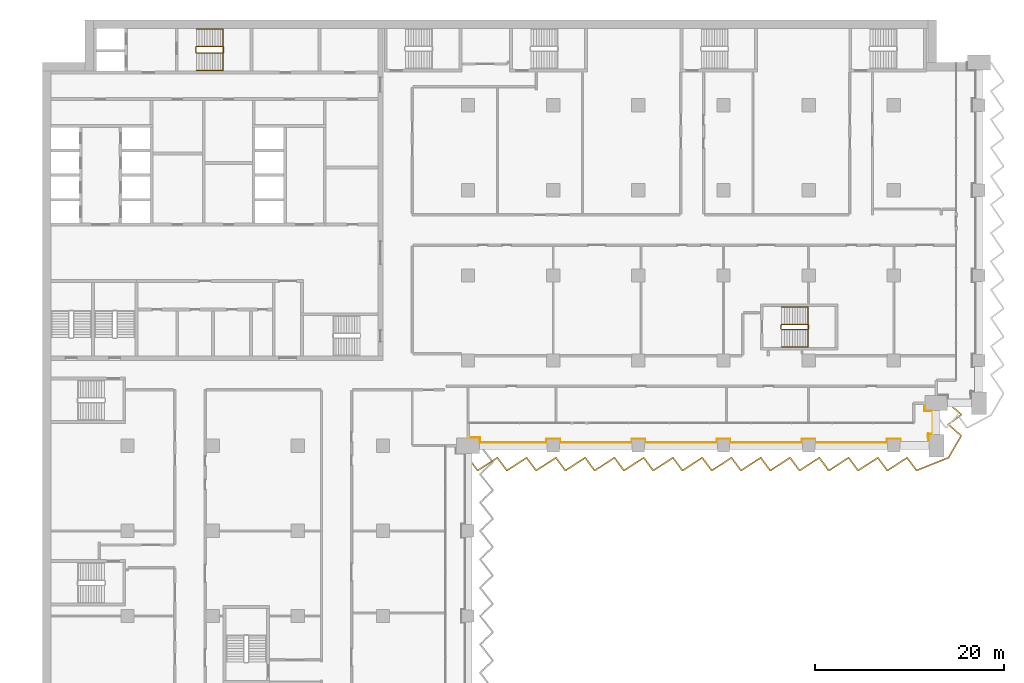
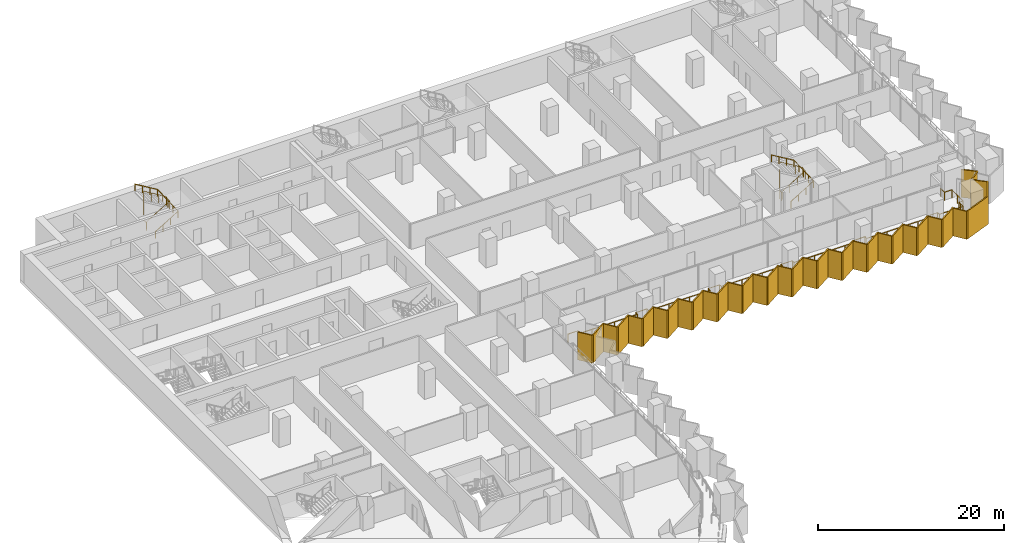
# One storey, part 27 of 29: 5 railings, 1 shading device.
"""IFC4 building model written with IfcOpenShell, lengths in metres."""

from ifc_helpers import new_model, si_unit, direction, frame, origin, origin_2d, place, context, subcontext, project, spatial, polyline, circle, outline, extrude, material, layer, layer_set, type_object, element, save


model = new_model("IFC4")

# Units and contexts
model_context = context("Model", 3, precision=1e-05, world=origin(), true_north=direction((0.0, 1.0)))
body_context = subcontext(model_context, "Body", "Model", "MODEL_VIEW")
ifc_project = project(units=[si_unit("LENGTHUNIT", "METRE"), si_unit("AREAUNIT", "SQUARE_METRE"), si_unit("VOLUMEUNIT", "CUBIC_METRE"), si_unit("PLANEANGLEUNIT", "RADIAN"), si_unit("MASSUNIT", "GRAM", prefix="KILO")], contexts=[model_context])

# Site, building, storey
site_placement = place(None, origin())
site = spatial("IfcSite", under=ifc_project, at=site_placement, CompositionType="ELEMENT")
building_placement = place(site_placement, origin())
building = spatial("IfcBuilding", under=site, at=building_placement, Name="Hunhe Ridgeline Campus", CompositionType="ELEMENT")
storey_placement = place(building_placement, frame((0.0, 0.0, 69.10009765625)))
storey = spatial("IfcBuildingStorey", under=building, at=storey_placement, Name="L16", CompositionType="ELEMENT", Elevation=69.10009765625)

# Railing
ifc_material_1 = material(Name="Steel Q355", Category="steel")
railing_type_1 = type_object("IfcRailingType", Name="Loggia guard 1100 Steel Q355", PredefinedType="GUARDRAIL", material=ifc_material_1)
railing_1_placement = place(storey_placement, frame((45.0, 54.8701171875, 0.0)))
element("IfcRailing", 1, at=railing_1_placement, inside=storey, type_object=railing_type_1, Name="Loggia guard 2", PredefinedType="GUARDRAIL", context=body_context, shape_type="SweptSolid", body=[
    extrude(circle(Radius=0.02392578125, at=origin_2d()), frame((0.0, 0.0, 1.076171875), z_axis=(1.0, 0.0, 0.0), x_axis=(0.0, 1.0, 0.0)), (0.0, 0.0, 1.0), 1.25),
    extrude(circle(Radius=0.02392578125, at=origin_2d()), frame((1.25, 0.0, 1.076171875), z_axis=(0.0, -1.0, 0.0), x_axis=(1.0, 0.0, 0.0)), (0.0, 0.0, 1.0), 0.52001953125),
    extrude(circle(Radius=0.02392578125, at=origin_2d()), frame((1.25, -0.52001953125, 1.076171875), z_axis=(1.0, 0.0, 0.0), x_axis=(0.0, 1.0, 0.0)), (0.0, 0.0, 1.0), 7.050048828125),
    extrude(circle(Radius=0.02392578125, at=origin_2d()), frame((8.300048828125, -0.52001953125, 1.076171875), z_axis=(0.0, 1.0, 0.0), x_axis=(-1.0, 0.0, 0.0)), (0.0, 0.0, 1.0), 0.369873046875),
    extrude(circle(Radius=0.02392578125, at=origin_2d()), frame((8.300048828125, -0.150146484375, 1.076171875), z_axis=(1.0, 0.0, 0.0), x_axis=(0.0, 1.0, 0.0)), (0.0, 0.0, 1.0), 1.39990234375),
    extrude(circle(Radius=0.02392578125, at=origin_2d()), frame((9.699951171875, -0.150146484375, 1.076171875), z_axis=(0.0, -1.0, 0.0), x_axis=(1.0, 0.0, 0.0)), (0.0, 0.0, 1.0), 0.369873046875),
    extrude(circle(Radius=0.02392578125, at=origin_2d()), frame((9.699951171875, -0.52001953125, 1.076171875), z_axis=(1.0, 0.0, 0.0), x_axis=(0.0, 1.0, 0.0)), (0.0, 0.0, 1.0), 7.60009765625),
    extrude(circle(Radius=0.02392578125, at=origin_2d()), frame((17.300048828125, -0.52001953125, 1.076171875), z_axis=(0.0, 1.0, 0.0), x_axis=(-1.0, 0.0, 0.0)), (0.0, 0.0, 1.0), 0.369873046875),
    extrude(circle(Radius=0.02392578125, at=origin_2d()), frame((17.300048828125, -0.150146484375, 1.076171875), z_axis=(1.0, 0.0, 0.0), x_axis=(0.0, 1.0, 0.0)), (0.0, 0.0, 1.0), 1.39990234375),
    extrude(circle(Radius=0.02392578125, at=origin_2d()), frame((18.699951171875, -0.150146484375, 1.076171875), z_axis=(0.0, -1.0, 0.0), x_axis=(1.0, 0.0, 0.0)), (0.0, 0.0, 1.0), 0.369873046875),
    extrude(circle(Radius=0.02392578125, at=origin_2d()), frame((18.699951171875, -0.52001953125, 1.076171875), z_axis=(1.0, 0.0, 0.0), x_axis=(0.0, 1.0, 0.0)), (0.0, 0.0, 1.0), 7.60009765625),
    extrude(circle(Radius=0.02392578125, at=origin_2d()), frame((26.300048828125, -0.52001953125, 1.076171875), z_axis=(0.0, 1.0, 0.0), x_axis=(-1.0, 0.0, 0.0)), (0.0, 0.0, 1.0), 0.369873046875),
    extrude(circle(Radius=0.02392578125, at=origin_2d()), frame((26.300048828125, -0.150146484375, 1.076171875), z_axis=(1.0, 0.0, 0.0), x_axis=(0.0, 1.0, 0.0)), (0.0, 0.0, 1.0), 1.39990234375),
    extrude(circle(Radius=0.02392578125, at=origin_2d()), frame((27.699951171875, -0.150146484375, 1.076171875), z_axis=(0.0, -1.0, 0.0), x_axis=(1.0, 0.0, 0.0)), (0.0, 0.0, 1.0), 0.369873046875),
    extrude(circle(Radius=0.02392578125, at=origin_2d()), frame((27.699951171875, -0.52001953125, 1.076171875), z_axis=(1.0, 0.0, 0.0), x_axis=(0.0, 1.0, 0.0)), (0.0, 0.0, 1.0), 7.60009765625),
    extrude(circle(Radius=0.02392578125, at=origin_2d()), frame((35.300048828125, -0.52001953125, 1.076171875), z_axis=(0.0, 1.0, 0.0), x_axis=(-1.0, 0.0, 0.0)), (0.0, 0.0, 1.0), 0.369873046875),
    extrude(circle(Radius=0.02392578125, at=origin_2d()), frame((35.300048828125, -0.150146484375, 1.076171875), z_axis=(1.0, 0.0, 0.0), x_axis=(0.0, 1.0, 0.0)), (0.0, 0.0, 1.0), 1.39990234375),
    extrude(circle(Radius=0.02392578125, at=origin_2d()), frame((36.699951171875, -0.150146484375, 1.076171875), z_axis=(0.0, -1.0, 0.0), x_axis=(1.0, 0.0, 0.0)), (0.0, 0.0, 1.0), 0.369873046875),
    extrude(circle(Radius=0.02392578125, at=origin_2d()), frame((36.699951171875, -0.52001953125, 1.076171875), z_axis=(1.0, 0.0, 0.0), x_axis=(0.0, 1.0, 0.0)), (0.0, 0.0, 1.0), 7.60009765625),
    extrude(circle(Radius=0.02392578125, at=origin_2d()), frame((44.300048828125, -0.52001953125, 1.076171875), z_axis=(0.0, 1.0, 0.0), x_axis=(-1.0, 0.0, 0.0)), (0.0, 0.0, 1.0), 0.369873046875),
    extrude(circle(Radius=0.02392578125, at=origin_2d()), frame((44.300048828125, -0.150146484375, 1.076171875), z_axis=(1.0, 0.0, 0.0), x_axis=(0.0, 1.0, 0.0)), (0.0, 0.0, 1.0), 1.39990234375),
    extrude(circle(Radius=0.02392578125, at=origin_2d()), frame((45.699951171875, -0.150146484375, 1.076171875), z_axis=(0.0, -1.0, 0.0), x_axis=(1.0, 0.0, 0.0)), (0.0, 0.0, 1.0), 0.369873046875),
    extrude(circle(Radius=0.02392578125, at=origin_2d()), frame((45.699951171875, -0.52001953125, 1.076171875), z_axis=(1.0, 0.0, 0.0), x_axis=(0.0, 1.0, 0.0)), (0.0, 0.0, 1.0), 2.949951171875),
    extrude(circle(Radius=0.02392578125, at=origin_2d()), frame((48.64990234375, -0.52001953125, 1.076171875), z_axis=(0.0, 1.0, 0.0), x_axis=(-1.0, 0.0, 0.0)), (0.0, 0.0, 1.0), 0.919921875),
    extrude(circle(Radius=0.02392578125, at=origin_2d()), frame((48.64990234375, 0.39990234375, 1.076171875), z_axis=(-0.049998438503, -0.998749295943, 0.0), x_axis=(0.998749295943, -0.049998438503, 0.0)), (0.0, 0.0, 1.0), 0.400390625),
    extrude(circle(Radius=0.02392578125, at=origin_2d()), frame((48.6298828125, 0.0, 1.076171875), z_axis=(0.0, 1.0, 0.0), x_axis=(-1.0, 0.0, 0.0)), (0.0, 0.0, 1.0), 0.3798828125),
    extrude(circle(Radius=0.02392578125, at=origin_2d()), frame((48.6298828125, 0.3798828125, 1.076171875), z_axis=(1.0, 0.0, 0.0), x_axis=(0.0, 1.0, 0.0)), (0.0, 0.0, 1.0), 0.52001953125),
    extrude(circle(Radius=0.02392578125, at=origin_2d()), frame((49.14990234375, 0.3798828125, 1.076171875), z_axis=(0.0, 1.0, 0.0), x_axis=(-1.0, 0.0, 0.0)), (0.0, 0.0, 1.0), 2.39990234375),
    extrude(circle(Radius=0.02392578125, at=origin_2d()), frame((49.14990234375, 2.77978515625, 1.076171875), z_axis=(-1.0, 0.0, 0.0), x_axis=(0.0, -1.0, 0.0)), (0.0, 0.0, 1.0), 0.919921875),
    extrude(circle(Radius=0.02392578125, at=origin_2d()), frame((48.22998046875, 2.77978515625, 1.076171875), z_axis=(0.0, 1.0, 0.0), x_axis=(-1.0, 0.0, 0.0)), (0.0, 0.0, 1.0), 0.85009765625),
    extrude(circle(Radius=0.02099609375, at=origin_2d()), origin(), (0.0, 0.0, 1.0), 1.052001953125),
    extrude(circle(Radius=0.02099609375, at=origin_2d()), frame((1.25, 0.0, 0.0)), (0.0, 0.0, 1.0), 1.052001953125),
    extrude(circle(Radius=0.02099609375, at=origin_2d()), frame((1.25, -0.52001953125, 0.0)), (0.0, 0.0, 1.0), 1.052001953125),
    extrude(circle(Radius=0.02099609375, at=origin_2d()), frame((2.659912109375, -0.52001953125, 0.0)), (0.0, 0.0, 1.0), 1.052001953125),
    extrude(circle(Radius=0.02099609375, at=origin_2d()), frame((4.070068359375, -0.52001953125, 0.0)), (0.0, 0.0, 1.0), 1.052001953125),
    extrude(circle(Radius=0.02099609375, at=origin_2d()), frame((5.47998046875, -0.52001953125, 0.0)), (0.0, 0.0, 1.0), 1.052001953125),
    extrude(circle(Radius=0.02099609375, at=origin_2d()), frame((6.89013671875, -0.52001953125, 0.0)), (0.0, 0.0, 1.0), 1.052001953125),
    extrude(circle(Radius=0.02099609375, at=origin_2d()), frame((8.300048828125, -0.52001953125, 0.0)), (0.0, 0.0, 1.0), 1.052001953125),
    extrude(circle(Radius=0.02099609375, at=origin_2d()), frame((8.300048828125, -0.150146484375, 0.0)), (0.0, 0.0, 1.0), 1.052001953125),
    extrude(circle(Radius=0.02099609375, at=origin_2d()), frame((9.699951171875, -0.150146484375, 0.0)), (0.0, 0.0, 1.0), 1.052001953125),
    extrude(circle(Radius=0.02099609375, at=origin_2d()), frame((9.699951171875, -0.52001953125, 0.0)), (0.0, 0.0, 1.0), 1.052001953125),
    extrude(circle(Radius=0.02099609375, at=origin_2d()), frame((10.966552734375, -0.52001953125, 0.0)), (0.0, 0.0, 1.0), 1.052001953125),
    extrude(circle(Radius=0.02099609375, at=origin_2d()), frame((12.2333984375, -0.52001953125, 0.0)), (0.0, 0.0, 1.0), 1.052001953125),
    extrude(circle(Radius=0.02099609375, at=origin_2d()), frame((13.5, -0.52001953125, 0.0)), (0.0, 0.0, 1.0), 1.052001953125),
    extrude(circle(Radius=0.02099609375, at=origin_2d()), frame((14.7666015625, -0.52001953125, 0.0)), (0.0, 0.0, 1.0), 1.052001953125),
    extrude(circle(Radius=0.02099609375, at=origin_2d()), frame((16.033447265625, -0.52001953125, 0.0)), (0.0, 0.0, 1.0), 1.052001953125),
    extrude(circle(Radius=0.02099609375, at=origin_2d()), frame((17.300048828125, -0.52001953125, 0.0)), (0.0, 0.0, 1.0), 1.052001953125),
    extrude(circle(Radius=0.02099609375, at=origin_2d()), frame((17.300048828125, -0.150146484375, 0.0)), (0.0, 0.0, 1.0), 1.052001953125),
    extrude(circle(Radius=0.02099609375, at=origin_2d()), frame((18.699951171875, -0.150146484375, 0.0)), (0.0, 0.0, 1.0), 1.052001953125),
    extrude(circle(Radius=0.02099609375, at=origin_2d()), frame((18.699951171875, -0.52001953125, 0.0)), (0.0, 0.0, 1.0), 1.052001953125),
    extrude(circle(Radius=0.02099609375, at=origin_2d()), frame((19.966552734375, -0.52001953125, 0.0)), (0.0, 0.0, 1.0), 1.052001953125),
    extrude(circle(Radius=0.02099609375, at=origin_2d()), frame((21.2333984375, -0.52001953125, 0.0)), (0.0, 0.0, 1.0), 1.052001953125),
    extrude(circle(Radius=0.02099609375, at=origin_2d()), frame((22.5, -0.52001953125, 0.0)), (0.0, 0.0, 1.0), 1.052001953125),
    extrude(circle(Radius=0.02099609375, at=origin_2d()), frame((23.7666015625, -0.52001953125, 0.0)), (0.0, 0.0, 1.0), 1.052001953125),
    extrude(circle(Radius=0.02099609375, at=origin_2d()), frame((25.033447265625, -0.52001953125, 0.0)), (0.0, 0.0, 1.0), 1.052001953125),
    extrude(circle(Radius=0.02099609375, at=origin_2d()), frame((26.300048828125, -0.52001953125, 0.0)), (0.0, 0.0, 1.0), 1.052001953125),
    extrude(circle(Radius=0.02099609375, at=origin_2d()), frame((26.300048828125, -0.150146484375, 0.0)), (0.0, 0.0, 1.0), 1.052001953125),
    extrude(circle(Radius=0.02099609375, at=origin_2d()), frame((27.699951171875, -0.150146484375, 0.0)), (0.0, 0.0, 1.0), 1.052001953125),
    extrude(circle(Radius=0.02099609375, at=origin_2d()), frame((27.699951171875, -0.52001953125, 0.0)), (0.0, 0.0, 1.0), 1.052001953125),
    extrude(circle(Radius=0.02099609375, at=origin_2d()), frame((28.966552734375, -0.52001953125, 0.0)), (0.0, 0.0, 1.0), 1.052001953125),
    extrude(circle(Radius=0.02099609375, at=origin_2d()), frame((30.2333984375, -0.52001953125, 0.0)), (0.0, 0.0, 1.0), 1.052001953125),
    extrude(circle(Radius=0.02099609375, at=origin_2d()), frame((31.5, -0.52001953125, 0.0)), (0.0, 0.0, 1.0), 1.052001953125),
    extrude(circle(Radius=0.02099609375, at=origin_2d()), frame((32.7666015625, -0.52001953125, 0.0)), (0.0, 0.0, 1.0), 1.052001953125),
    extrude(circle(Radius=0.02099609375, at=origin_2d()), frame((34.033447265625, -0.52001953125, 0.0)), (0.0, 0.0, 1.0), 1.052001953125),
    extrude(circle(Radius=0.02099609375, at=origin_2d()), frame((35.300048828125, -0.52001953125, 0.0)), (0.0, 0.0, 1.0), 1.052001953125),
    extrude(circle(Radius=0.02099609375, at=origin_2d()), frame((35.300048828125, -0.150146484375, 0.0)), (0.0, 0.0, 1.0), 1.052001953125),
    extrude(circle(Radius=0.02099609375, at=origin_2d()), frame((36.699951171875, -0.150146484375, 0.0)), (0.0, 0.0, 1.0), 1.052001953125),
    extrude(circle(Radius=0.02099609375, at=origin_2d()), frame((36.699951171875, -0.52001953125, 0.0)), (0.0, 0.0, 1.0), 1.052001953125),
    extrude(circle(Radius=0.02099609375, at=origin_2d()), frame((37.966552734375, -0.52001953125, 0.0)), (0.0, 0.0, 1.0), 1.052001953125),
    extrude(circle(Radius=0.02099609375, at=origin_2d()), frame((39.2333984375, -0.52001953125, 0.0)), (0.0, 0.0, 1.0), 1.052001953125),
    extrude(circle(Radius=0.02099609375, at=origin_2d()), frame((40.5, -0.52001953125, 0.0)), (0.0, 0.0, 1.0), 1.052001953125),
    extrude(circle(Radius=0.02099609375, at=origin_2d()), frame((41.7666015625, -0.52001953125, 0.0)), (0.0, 0.0, 1.0), 1.052001953125),
    extrude(circle(Radius=0.02099609375, at=origin_2d()), frame((43.033447265625, -0.52001953125, 0.0)), (0.0, 0.0, 1.0), 1.052001953125),
    extrude(circle(Radius=0.02099609375, at=origin_2d()), frame((44.300048828125, -0.52001953125, 0.0)), (0.0, 0.0, 1.0), 1.052001953125),
    extrude(circle(Radius=0.02099609375, at=origin_2d()), frame((44.300048828125, -0.150146484375, 0.0)), (0.0, 0.0, 1.0), 1.052001953125),
    extrude(circle(Radius=0.02099609375, at=origin_2d()), frame((45.699951171875, -0.150146484375, 0.0)), (0.0, 0.0, 1.0), 1.052001953125),
    extrude(circle(Radius=0.02099609375, at=origin_2d()), frame((45.699951171875, -0.52001953125, 0.0)), (0.0, 0.0, 1.0), 1.052001953125),
    extrude(circle(Radius=0.02099609375, at=origin_2d()), frame((47.1748046875, -0.52001953125, 0.0)), (0.0, 0.0, 1.0), 1.052001953125),
    extrude(circle(Radius=0.02099609375, at=origin_2d()), frame((48.64990234375, -0.52001953125, 0.0)), (0.0, 0.0, 1.0), 1.052001953125),
    extrude(circle(Radius=0.02099609375, at=origin_2d()), frame((48.64990234375, 0.39990234375, 0.0)), (0.0, 0.0, 1.0), 1.052001953125),
    extrude(circle(Radius=0.02099609375, at=origin_2d()), frame((48.6298828125, 0.0, 0.0)), (0.0, 0.0, 1.0), 1.052001953125),
    extrude(circle(Radius=0.02099609375, at=origin_2d()), frame((48.6298828125, 0.3798828125, 0.0)), (0.0, 0.0, 1.0), 1.052001953125),
    extrude(circle(Radius=0.02099609375, at=origin_2d()), frame((49.14990234375, 0.3798828125, 0.0)), (0.0, 0.0, 1.0), 1.052001953125),
    extrude(circle(Radius=0.02099609375, at=origin_2d()), frame((49.14990234375, 1.579833984375, 0.0)), (0.0, 0.0, 1.0), 1.052001953125),
    extrude(circle(Radius=0.02099609375, at=origin_2d()), frame((49.14990234375, 2.77978515625, 0.0)), (0.0, 0.0, 1.0), 1.052001953125),
    extrude(circle(Radius=0.02099609375, at=origin_2d()), frame((48.22998046875, 2.77978515625, 0.0)), (0.0, 0.0, 1.0), 1.052001953125),
    extrude(circle(Radius=0.02099609375, at=origin_2d()), frame((48.22998046875, 3.6298828125, 0.0)), (0.0, 0.0, 1.0), 1.052001953125),
])

# Shading device
ifc_material_2 = material(Name="Concrete C50", Category="concrete")
ifc_layer = layer(ifc_material_2, 0.14990234375)
ifc_layer_set = layer_set([ifc_layer], Name="Sawtooth concrete fin 150 Concrete C50")
shading_device_type = type_object("IfcShadingDeviceType", Name="Sawtooth concrete fin 150 Concrete C50", PredefinedType="USERDEFINED", material=ifc_layer_set)
shading_device_placement = place(storey_placement, frame((0.0, 0.0, -0.9501953125)))
element("IfcShadingDevice", 2, at=shading_device_placement, inside=storey, type_object=shading_device_type, Name="Concrete fin screen 2", ObjectType="FIN", PredefinedType="USERDEFINED", context=body_context, shape_type="SweptSolid", body=[
    extrude(outline(polyline([(45.06005859375, 52.769775390625), (44.93994140625, 52.68017578125), (45.930419921875, 51.35009765625), (46.1103515625, 51.35009765625), (48.07568359375, 52.623779296875), (49.024169921875, 51.35009765625), (49.2041015625, 51.35009765625), (51.16943359375, 52.623779296875), (52.117919921875, 51.35009765625), (52.2978515625, 51.35009765625), (54.26318359375, 52.623779296875), (55.211669921875, 51.35009765625), (55.3916015625, 51.35009765625), (57.35693359375, 52.623779296875), (58.305419921875, 51.35009765625), (58.4853515625, 51.35009765625), (60.45068359375, 52.623779296875), (61.399169921875, 51.35009765625), (61.5791015625, 51.35009765625), (63.54443359375, 52.623779296875), (64.492919921875, 51.35009765625), (64.6728515625, 51.35009765625), (66.63818359375, 52.623779296875), (67.586669921875, 51.35009765625), (67.7666015625, 51.35009765625), (69.73193359375, 52.623779296875), (70.680419921875, 51.35009765625), (70.8603515625, 51.35009765625), (72.82568359375, 52.623779296875), (73.774169921875, 51.35009765625), (73.9541015625, 51.35009765625), (75.91943359375, 52.623779296875), (76.867919921875, 51.35009765625), (77.0478515625, 51.35009765625), (79.01318359375, 52.623779296875), (79.961669921875, 51.35009765625), (80.1416015625, 51.35009765625), (82.10693359375, 52.623779296875), (83.055419921875, 51.35009765625), (83.2353515625, 51.35009765625), (85.20068359375, 52.623779296875), (86.149169921875, 51.35009765625), (86.3291015625, 51.35009765625), (88.29443359375, 52.623779296875), (89.242919921875, 51.35009765625), (89.4228515625, 51.35009765625), (91.38818359375, 52.623779296875), (92.336669921875, 51.35009765625), (92.5087890625, 51.35009765625), (95.826904296875, 52.664794921875), (97.14990234375, 54.947998046875), (97.14990234375, 55.12158203125), (95.8935546875, 56.24462890625), (97.14990234375, 57.180419921875), (97.14990234375, 57.37158203125), (95.824951171875, 58.555908203125), (95.72509765625, 58.444091796875), (97.0, 57.304443359375), (97.0, 57.255859375), (95.656494140625, 56.25537109375), (97.0, 55.054443359375), (97.0, 54.98828125), (95.72314453125, 52.78515625), (92.47998046875, 51.5), (92.412109375, 51.5), (91.42431640625, 52.826171875), (89.37841796875, 51.5), (89.318359375, 51.5), (88.33056640625, 52.826171875), (86.28466796875, 51.5), (86.224609375, 51.5), (85.23681640625, 52.826171875), (83.19091796875, 51.5), (83.130859375, 51.5), (82.14306640625, 52.826171875), (80.09716796875, 51.5), (80.037109375, 51.5), (79.04931640625, 52.826171875), (77.00341796875, 51.5), (76.943359375, 51.5), (75.95556640625, 52.826171875), (73.90966796875, 51.5), (73.849609375, 51.5), (72.86181640625, 52.826171875), (70.81591796875, 51.5), (70.755859375, 51.5), (69.76806640625, 52.826171875), (67.72216796875, 51.5), (67.662109375, 51.5), (66.67431640625, 52.826171875), (64.62841796875, 51.5), (64.568359375, 51.5), (63.58056640625, 52.826171875), (61.53466796875, 51.5), (61.474609375, 51.5), (60.48681640625, 52.826171875), (58.44091796875, 51.5), (58.380859375, 51.5), (57.39306640625, 52.826171875), (55.34716796875, 51.5), (55.287109375, 51.5), (54.29931640625, 52.826171875), (52.25341796875, 51.5), (52.193359375, 51.5), (51.20556640625, 52.826171875), (49.15966796875, 51.5), (49.099609375, 51.5), (48.11181640625, 52.826171875), (46.06591796875, 51.5), (46.005859375, 51.5), (45.06005859375, 52.769775390625)])), origin(), (0.0, 0.0, 1.0), 3.650146484375),
])

# Railings
ifc_material_3 = material(Name="Stainless steel balustrade", Category="steel")
railing_type_2 = type_object("IfcRailingType", Name="Stair guard 1100 stainless", PredefinedType="GUARDRAIL", material=ifc_material_3)
railing_2_placement = place(storey_placement, frame((16.300048828125, 95.5, 0.16796875)))
element("IfcRailing", 3, at=railing_2_placement, inside=storey, type_object=railing_type_2, Name="L16 stair S1 guard", PredefinedType="GUARDRAIL", context=body_context, shape_type="SweptSolid", body=[
    extrude(circle(Radius=0.02392578125, at=origin_2d()), frame((0.0, 0.0, 1.076171875), z_axis=(0.857242210791, 0.0, 0.514913383045), x_axis=(0.0, 1.0, 0.0)), (0.0, 0.0, 1.0), 3.266357421875),
    extrude(circle(Radius=0.02392578125, at=origin_2d()), frame((2.800048828125, 0.0, 2.7578125), z_axis=(0.705375805398, 0.708833529934, 0.0), x_axis=(-0.708833529934, 0.705375805398, 0.0)), (0.0, 0.0, 1.0), 0.070556640625),
    extrude(circle(Radius=0.02392578125, at=origin_2d()), frame((2.849853515625, 0.050048828125, 2.7578125), z_axis=(0.0, 1.0, 0.0), x_axis=(-1.0, 0.0, 0.0)), (0.0, 0.0, 1.0), 0.599853515625),
    extrude(circle(Radius=0.02392578125, at=origin_2d()), frame((2.849853515625, 0.64990234375, 2.7578125), z_axis=(-0.273006030465, 0.27434429532, 0.922064485248), x_axis=(-0.708833529934, -0.705375805398, 0.0)), (0.0, 0.0, 1.0), 0.182373046875),
    extrude(circle(Radius=0.02392578125, at=origin_2d()), frame((2.800048828125, 0.699951171875, 2.92626953125), z_axis=(-0.857242210791, 0.0, 0.514913383045), x_axis=(0.0, -1.0, 0.0)), (0.0, 0.0, 1.0), 3.266357421875),
    extrude(circle(Radius=0.02392578125, at=origin_2d()), frame((0.0, 0.699951171875, 4.60791015625), z_axis=(-0.013524414389, -0.013524414389, -0.999817073484), x_axis=(0.707106781187, -0.707106781187, 0.0)), (0.0, 0.0, 1.0), 3.70068359375),
    extrude(circle(Radius=0.02392578125, at=origin_2d()), frame((-0.050048828125, 0.64990234375, 0.908203125), z_axis=(0.0, -1.0, 0.0), x_axis=(1.0, 0.0, 0.0)), (0.0, 0.0, 1.0), 0.599853515625),
    extrude(circle(Radius=0.02099609375, at=origin_2d()), origin(), (0.0, 0.0, 1.0), 1.052001953125),
    extrude(circle(Radius=0.02099609375, at=origin_2d()), frame((0.933349609375, 0.0, 0.560546875)), (0.0, 0.0, 1.0), 1.052001953125),
    extrude(circle(Radius=0.02099609375, at=origin_2d()), frame((1.86669921875, 0.0, 1.121337890625)), (0.0, 0.0, 1.0), 1.052001953125),
    extrude(circle(Radius=0.02099609375, at=origin_2d()), frame((2.800048828125, 0.0, 1.681884765625)), (0.0, 0.0, 1.0), 1.052001953125),
    extrude(circle(Radius=0.02099609375, at=origin_2d()), frame((2.849853515625, 0.050048828125, 1.681884765625)), (0.0, 0.0, 1.0), 1.052001953125),
    extrude(circle(Radius=0.02099609375, at=origin_2d()), frame((2.849853515625, 0.64990234375, 1.681884765625)), (0.0, 0.0, 1.0), 1.052001953125),
    extrude(circle(Radius=0.02099609375, at=origin_2d()), frame((2.800048828125, 0.699951171875, 1.85009765625)), (0.0, 0.0, 1.0), 1.052001953125),
    extrude(circle(Radius=0.02099609375, at=origin_2d()), frame((1.86669921875, 0.699951171875, 2.41064453125)), (0.0, 0.0, 1.0), 1.052001953125),
    extrude(circle(Radius=0.02099609375, at=origin_2d()), frame((0.933349609375, 0.699951171875, 2.971435546875)), (0.0, 0.0, 1.0), 1.052001953125),
    extrude(circle(Radius=0.02099609375, at=origin_2d()), frame((0.0, 0.699951171875, 3.531982421875)), (0.0, 0.0, 1.0), 1.052001953125),
    extrude(circle(Radius=0.02099609375, at=origin_2d()), frame((-0.012451171875, 0.6875, 2.60693359375)), (0.0, 0.0, 1.0), 1.052001953125),
    extrude(circle(Radius=0.02099609375, at=origin_2d()), frame((-0.02490234375, 0.6748046875, 1.68212890625)), (0.0, 0.0, 1.0), 1.052001953125),
    extrude(circle(Radius=0.02099609375, at=origin_2d()), frame((-0.03759765625, 0.662353515625, 0.757080078125)), (0.0, 0.0, 1.0), 1.052001953125),
    extrude(circle(Radius=0.02099609375, at=origin_2d()), frame((-0.050048828125, 0.64990234375, -0.16796875)), (0.0, 0.0, 1.0), 1.052001953125),
    extrude(circle(Radius=0.02099609375, at=origin_2d()), frame((-0.050048828125, 0.050048828125, -0.16796875)), (0.0, 0.0, 1.0), 1.052001953125),
])
railing_3_placement = place(storey_placement, frame((78.14990234375, 66.300048828125, 0.16796875)))
element("IfcRailing", 4, at=railing_3_placement, inside=storey, type_object=railing_type_2, Name="L16 stair E5 guard", PredefinedType="GUARDRAIL", context=body_context, shape_type="SweptSolid", body=[
    extrude(circle(Radius=0.02392578125, at=origin_2d()), frame((0.0, 0.0, 1.076171875), z_axis=(0.857242210791, 0.0, 0.514913383045), x_axis=(0.0, 1.0, 0.0)), (0.0, 0.0, 1.0), 3.266357421875),
    extrude(circle(Radius=0.02392578125, at=origin_2d()), frame((2.800048828125, 0.0, 2.7578125), z_axis=(0.707106781187, 0.707106781187, 0.0), x_axis=(-0.707106781187, 0.707106781187, 0.0)), (0.0, 0.0, 1.0), 0.07080078125),
    extrude(circle(Radius=0.02392578125, at=origin_2d()), frame((2.85009765625, 0.050048828125, 2.7578125), z_axis=(0.0, 1.0, 0.0), x_axis=(-1.0, 0.0, 0.0)), (0.0, 0.0, 1.0), 0.39990234375),
    extrude(circle(Radius=0.02392578125, at=origin_2d()), frame((2.85009765625, 0.449951171875, 2.7578125), z_axis=(-0.274243871929, 0.274243871929, 0.92172696468), x_axis=(-0.707106781187, -0.707106781187, 0.0)), (0.0, 0.0, 1.0), 0.1826171875),
    extrude(circle(Radius=0.02392578125, at=origin_2d()), frame((2.800048828125, 0.5, 2.92626953125), z_axis=(-0.857242210791, 0.0, 0.514913383045), x_axis=(0.0, -1.0, 0.0)), (0.0, 0.0, 1.0), 3.266357421875),
    extrude(circle(Radius=0.02392578125, at=origin_2d()), frame((0.0, 0.5, 4.60791015625), z_axis=(-0.013458453615, -0.013524426427, -0.999817963389), x_axis=(0.708833529934, -0.705375805398, 0.0)), (0.0, 0.0, 1.0), 3.70068359375),
    extrude(circle(Radius=0.02392578125, at=origin_2d()), frame((-0.0498046875, 0.449951171875, 0.908203125), z_axis=(0.0, -1.0, 0.0), x_axis=(1.0, 0.0, 0.0)), (0.0, 0.0, 1.0), 0.39990234375),
    extrude(circle(Radius=0.02099609375, at=origin_2d()), origin(), (0.0, 0.0, 1.0), 1.052001953125),
    extrude(circle(Radius=0.02099609375, at=origin_2d()), frame((0.933349609375, 0.0, 0.560546875)), (0.0, 0.0, 1.0), 1.052001953125),
    extrude(circle(Radius=0.02099609375, at=origin_2d()), frame((1.86669921875, 0.0, 1.121337890625)), (0.0, 0.0, 1.0), 1.052001953125),
    extrude(circle(Radius=0.02099609375, at=origin_2d()), frame((2.800048828125, 0.0, 1.681884765625)), (0.0, 0.0, 1.0), 1.052001953125),
    extrude(circle(Radius=0.02099609375, at=origin_2d()), frame((2.85009765625, 0.050048828125, 1.681884765625)), (0.0, 0.0, 1.0), 1.052001953125),
    extrude(circle(Radius=0.02099609375, at=origin_2d()), frame((2.85009765625, 0.449951171875, 1.681884765625)), (0.0, 0.0, 1.0), 1.052001953125),
    extrude(circle(Radius=0.02099609375, at=origin_2d()), frame((2.800048828125, 0.5, 1.85009765625)), (0.0, 0.0, 1.0), 1.052001953125),
    extrude(circle(Radius=0.02099609375, at=origin_2d()), frame((1.86669921875, 0.5, 2.41064453125)), (0.0, 0.0, 1.0), 1.052001953125),
    extrude(circle(Radius=0.02099609375, at=origin_2d()), frame((0.933349609375, 0.5, 2.971435546875)), (0.0, 0.0, 1.0), 1.052001953125),
    extrude(circle(Radius=0.02099609375, at=origin_2d()), frame((0.0, 0.5, 3.531982421875)), (0.0, 0.0, 1.0), 1.052001953125),
    extrude(circle(Radius=0.02099609375, at=origin_2d()), frame((-0.012451171875, 0.487548828125, 2.60693359375)), (0.0, 0.0, 1.0), 1.052001953125),
    extrude(circle(Radius=0.02099609375, at=origin_2d()), frame((-0.02490234375, 0.47509765625, 1.68212890625)), (0.0, 0.0, 1.0), 1.052001953125),
    extrude(circle(Radius=0.02099609375, at=origin_2d()), frame((-0.037353515625, 0.46240234375, 0.757080078125)), (0.0, 0.0, 1.0), 1.052001953125),
    extrude(circle(Radius=0.02099609375, at=origin_2d()), frame((-0.0498046875, 0.449951171875, -0.16796875)), (0.0, 0.0, 1.0), 1.052001953125),
    extrude(circle(Radius=0.02099609375, at=origin_2d()), frame((-0.0498046875, 0.050048828125, -0.16796875)), (0.0, 0.0, 1.0), 1.052001953125),
])
ifc_material_4 = material(Name="Stainless steel handrail", Category="steel")
railing_type_3 = type_object("IfcRailingType", Name="Stair handrail 900 stainless", PredefinedType="HANDRAIL", material=ifc_material_4)
railing_4_placement = place(storey_placement, frame((16.300048828125, 93.64990234375, 0.16796875)))
element("IfcRailing", 5, at=railing_4_placement, inside=storey, type_object=railing_type_3, Name="L16 stair S1 handrail", PredefinedType="HANDRAIL", context=body_context, shape_type="SweptSolid", body=[
    extrude(circle(Radius=0.02392578125, at=origin_2d()), frame((0.0, 0.0, 0.8759765625), z_axis=(0.857242210791, 0.0, 0.514913383045), x_axis=(0.0, 1.0, 0.0)), (0.0, 0.0, 1.0), 3.266357421875),
    extrude(circle(Radius=0.02392578125, at=origin_2d()), frame((2.800048828125, 0.0, 2.5576171875), z_axis=(0.0, 0.999270074432, 0.038201025428), x_axis=(-1.0, 0.0, 0.0)), (0.0, 0.0, 1.0), 4.4033203125),
    extrude(circle(Radius=0.02392578125, at=origin_2d()), frame((2.800048828125, 4.400146484375, 2.72607421875), z_axis=(-0.857242210791, 0.0, 0.514913383045), x_axis=(0.0, -1.0, 0.0)), (0.0, 0.0, 1.0), 3.266357421875),
    extrude(circle(Radius=0.02099609375, at=origin_2d()), origin(), (0.0, 0.0, 1.0), 0.851806640625),
    extrude(circle(Radius=0.02099609375, at=origin_2d()), frame((0.933349609375, 0.0, 0.560546875)), (0.0, 0.0, 1.0), 0.851806640625),
    extrude(circle(Radius=0.02099609375, at=origin_2d()), frame((1.86669921875, 0.0, 1.121337890625)), (0.0, 0.0, 1.0), 0.851806640625),
    extrude(circle(Radius=0.02099609375, at=origin_2d()), frame((2.800048828125, 0.0, 1.681884765625)), (0.0, 0.0, 1.0), 0.851806640625),
    extrude(circle(Radius=0.02099609375, at=origin_2d()), frame((2.800048828125, 1.10009765625, 1.723876953125)), (0.0, 0.0, 1.0), 0.851806640625),
    extrude(circle(Radius=0.02099609375, at=origin_2d()), frame((2.800048828125, 2.2001953125, 1.76611328125)), (0.0, 0.0, 1.0), 0.851806640625),
    extrude(circle(Radius=0.02099609375, at=origin_2d()), frame((2.800048828125, 3.300048828125, 1.80810546875)), (0.0, 0.0, 1.0), 0.851806640625),
    extrude(circle(Radius=0.02099609375, at=origin_2d()), frame((2.800048828125, 4.400146484375, 1.85009765625)), (0.0, 0.0, 1.0), 0.851806640625),
    extrude(circle(Radius=0.02099609375, at=origin_2d()), frame((1.86669921875, 4.400146484375, 2.41064453125)), (0.0, 0.0, 1.0), 0.851806640625),
    extrude(circle(Radius=0.02099609375, at=origin_2d()), frame((0.933349609375, 4.400146484375, 2.971435546875)), (0.0, 0.0, 1.0), 0.851806640625),
    extrude(circle(Radius=0.02099609375, at=origin_2d()), frame((0.0, 4.400146484375, 3.531982421875)), (0.0, 0.0, 1.0), 0.851806640625),
])
railing_5_placement = place(storey_placement, frame((78.14990234375, 64.449951171875, 0.16796875)))
element("IfcRailing", 6, at=railing_5_placement, inside=storey, type_object=railing_type_3, Name="L16 stair E5 handrail", PredefinedType="HANDRAIL", context=body_context, shape_type="SweptSolid", body=[
    extrude(circle(Radius=0.02392578125, at=origin_2d()), frame((0.0, 0.0, 0.8759765625), z_axis=(0.857242210791, 0.0, 0.514913383045), x_axis=(0.0, 1.0, 0.0)), (0.0, 0.0, 1.0), 3.266357421875),
    extrude(circle(Radius=0.02392578125, at=origin_2d()), frame((2.800048828125, 0.0, 2.5576171875), z_axis=(0.0, 0.999198916169, 0.040019069537), x_axis=(-1.0, 0.0, 0.0)), (0.0, 0.0, 1.0), 4.203369140625),
    extrude(circle(Radius=0.02392578125, at=origin_2d()), frame((2.800048828125, 4.199951171875, 2.72607421875), z_axis=(-0.857242210791, 0.0, 0.514913383045), x_axis=(0.0, -1.0, 0.0)), (0.0, 0.0, 1.0), 3.266357421875),
    extrude(circle(Radius=0.02099609375, at=origin_2d()), origin(), (0.0, 0.0, 1.0), 0.851806640625),
    extrude(circle(Radius=0.02099609375, at=origin_2d()), frame((0.933349609375, 0.0, 0.560546875)), (0.0, 0.0, 1.0), 0.851806640625),
    extrude(circle(Radius=0.02099609375, at=origin_2d()), frame((1.86669921875, 0.0, 1.121337890625)), (0.0, 0.0, 1.0), 0.851806640625),
    extrude(circle(Radius=0.02099609375, at=origin_2d()), frame((2.800048828125, 0.0, 1.681884765625)), (0.0, 0.0, 1.0), 0.851806640625),
    extrude(circle(Radius=0.02099609375, at=origin_2d()), frame((2.800048828125, 1.050048828125, 1.723876953125)), (0.0, 0.0, 1.0), 0.851806640625),
    extrude(circle(Radius=0.02099609375, at=origin_2d()), frame((2.800048828125, 2.10009765625, 1.76611328125)), (0.0, 0.0, 1.0), 0.851806640625),
    extrude(circle(Radius=0.02099609375, at=origin_2d()), frame((2.800048828125, 3.14990234375, 1.80810546875)), (0.0, 0.0, 1.0), 0.851806640625),
    extrude(circle(Radius=0.02099609375, at=origin_2d()), frame((2.800048828125, 4.199951171875, 1.85009765625)), (0.0, 0.0, 1.0), 0.851806640625),
    extrude(circle(Radius=0.02099609375, at=origin_2d()), frame((1.86669921875, 4.199951171875, 2.41064453125)), (0.0, 0.0, 1.0), 0.851806640625),
    extrude(circle(Radius=0.02099609375, at=origin_2d()), frame((0.933349609375, 4.199951171875, 2.971435546875)), (0.0, 0.0, 1.0), 0.851806640625),
    extrude(circle(Radius=0.02099609375, at=origin_2d()), frame((0.0, 4.199951171875, 3.531982421875)), (0.0, 0.0, 1.0), 0.851806640625),
])

save(model, "model.ifc")
